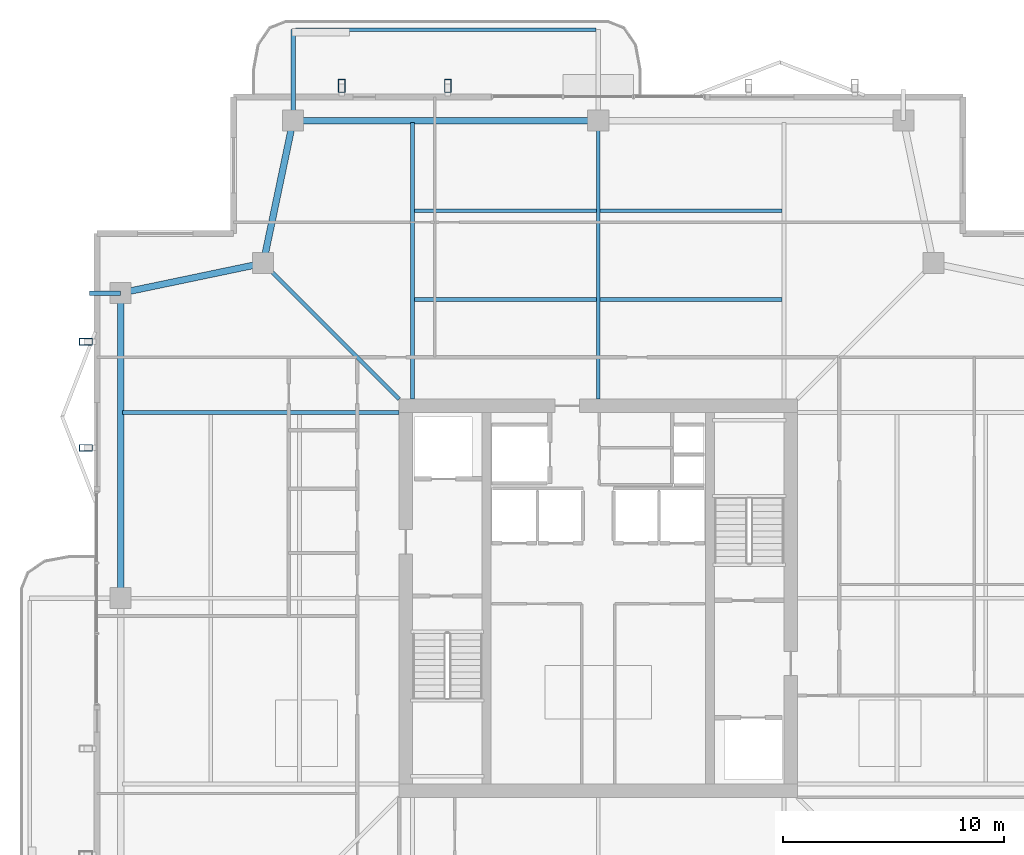
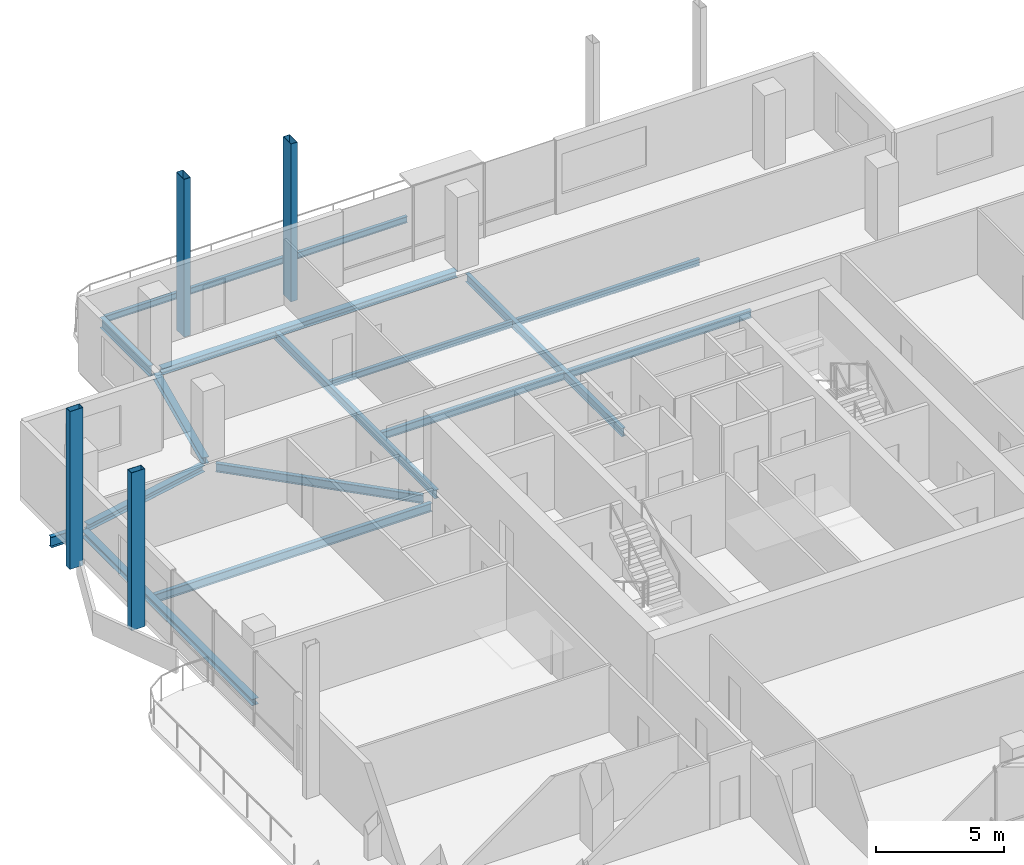
# One storey, part 10 of 20: 15 beams, 4 members.
"""IFC4 building model written with IfcOpenShell, lengths in metres."""

from ifc_helpers import new_model, si_unit, direction, frame, origin, origin_2d, place, context, subcontext, project, spatial, hollow_rectangle, i_section, extrude, material, material_profile, profile_set, type_object, element, save


model = new_model("IFC4")

# Units and contexts
model_context = context("Model", 3, precision=1e-05, world=origin(), true_north=direction((0.0, 1.0)))
body_context = subcontext(model_context, "Body", "Model", "MODEL_VIEW")
ifc_project = project(units=[si_unit("LENGTHUNIT", "METRE"), si_unit("AREAUNIT", "SQUARE_METRE"), si_unit("VOLUMEUNIT", "CUBIC_METRE"), si_unit("PLANEANGLEUNIT", "RADIAN"), si_unit("MASSUNIT", "GRAM", prefix="KILO")], contexts=[model_context])

# Site, building, storey
site_placement = place(None, origin())
site = spatial("IfcSite", under=ifc_project, at=site_placement, CompositionType="ELEMENT")
building_placement = place(site_placement, origin())
building = spatial("IfcBuilding", under=site, at=building_placement, Name="Belovzor Exchange Tower", CompositionType="ELEMENT")
storey_placement = place(building_placement, frame((0.0, 0.0, 306.75)))
storey = spatial("IfcBuildingStorey", under=building, at=storey_placement, Name="L76", CompositionType="ELEMENT", Elevation=306.75)

# Beams
ifc_material_1 = material(Name="Steel S355", Category="steel")
ifc_material_profile_1 = material_profile(ifc_material_1, i_section(OverallWidth=0.199951171875, OverallDepth=0.5, WebThickness=0.01025390625, FlangeThickness=0.01611328125, at=origin_2d()))
ifc_profile_set_1 = profile_set([ifc_material_profile_1], Name="Steel S355")
beam_type_1 = type_object("IfcBeamType", Name="Planted Balcony Cantilever Beam IPE 500", PredefinedType="BEAM", material=ifc_profile_set_1)
beam_1_placement = place(storey_placement, frame((15.0, 50.660888671875, -0.489990234375), z_axis=(0.0, 1.0, 0.0), x_axis=(-1.0, 0.0, 0.0)))
element("IfcBeam", 1, at=beam_1_placement, inside=storey, type_object=beam_type_1, Name="BC-500 Planted Balcony Cantilever Beam IPE 500", PredefinedType="BEAM", context=body_context, shape_type="SweptSolid", body=[
    extrude(i_section(OverallWidth=0.199951171875, OverallDepth=0.5, WebThickness=0.01025390625, FlangeThickness=0.01611328125, at=origin_2d()), origin(), (0.0, 0.0, 1.0), 3.85009765625),
])
beam_2_placement = place(storey_placement, frame((7.199951171875, 42.60009765625, -0.489990234375), z_axis=(-1.0, 0.0, 0.0), x_axis=(0.0, -1.0, 0.0)))
element("IfcBeam", 2, at=beam_2_placement, inside=storey, type_object=beam_type_1, Name="BC-500 Planted Balcony Cantilever Beam IPE 500", PredefinedType="BEAM", context=body_context, shape_type="SweptSolid", body=[
    extrude(i_section(OverallWidth=0.199951171875, OverallDepth=0.5, WebThickness=0.01025390625, FlangeThickness=0.01611328125, at=origin_2d()), origin(), (0.0, 0.0, 1.0), 1.39990234375),
])
ifc_material_2 = material(Name="Steel S355", Category="steel")
ifc_material_profile_2 = material_profile(ifc_material_2, i_section(OverallWidth=0.14990234375, OverallDepth=0.300048828125, WebThickness=0.007080078125, FlangeThickness=0.0107421875, at=origin_2d()))
ifc_profile_set_2 = profile_set([ifc_material_profile_2], Name="Steel S355")
beam_type_2 = type_object("IfcBeamType", Name="Planted Balcony Fascia Edge Beam IPE 300", PredefinedType="BEAM", material=ifc_profile_set_2)
beam_3_placement = place(storey_placement, frame((28.699951171875, 54.510986328125, -0.389892578125), z_axis=(-1.0, 0.0, 0.0), x_axis=(0.0, -1.0, 0.0)))
element("IfcBeam", 3, at=beam_3_placement, inside=storey, type_object=beam_type_2, Name="BC-300 Planted Balcony Fascia Edge Beam IPE 300", PredefinedType="BEAM", context=body_context, shape_type="SweptSolid", body=[
    extrude(i_section(OverallWidth=0.14990234375, OverallDepth=0.300048828125, WebThickness=0.007080078125, FlangeThickness=0.0107421875, at=origin_2d()), origin(), (0.0, 0.0, 1.0), 13.599853515625),
])
ifc_material_3 = material(Name="Steel S355", Category="steel")
ifc_material_profile_3 = material_profile(ifc_material_3, i_section(OverallWidth=0.169921875, OverallDepth=0.360107421875, WebThickness=0.008056640625, FlangeThickness=0.0126953125, at=origin_2d()))
ifc_profile_set_3 = profile_set([ifc_material_profile_3], Name="Steel S355")
beam_type_3 = type_object("IfcBeamType", Name="Secondary Infill Floor Joist IPE 360", PredefinedType="BEAM", material=ifc_profile_set_3)
beam_4_placement = place(storey_placement, frame((20.489990234375, 42.30908203125, -0.419921875), z_axis=(1.0, 0.0, 0.0), x_axis=(0.0, 1.0, 0.0)))
element("IfcBeam", 4, at=beam_4_placement, inside=storey, type_object=beam_type_3, Name="FJ-360 Secondary Infill Floor Joist IPE 360", PredefinedType="BEAM", context=body_context, shape_type="SweptSolid", body=[
    extrude(i_section(OverallWidth=0.169921875, OverallDepth=0.360107421875, WebThickness=0.008056640625, FlangeThickness=0.0126953125, at=origin_2d()), origin(), (0.0, 0.0, 1.0), 8.219970703125),
])
beam_5_placement = place(storey_placement, frame((28.889892578125, 42.30908203125, -0.419921875), z_axis=(1.0, 0.0, 0.0), x_axis=(0.0, 1.0, 0.0)))
element("IfcBeam", 5, at=beam_5_placement, inside=storey, type_object=beam_type_3, Name="FJ-360 Secondary Infill Floor Joist IPE 360", PredefinedType="BEAM", context=body_context, shape_type="SweptSolid", body=[
    extrude(i_section(OverallWidth=0.169921875, OverallDepth=0.360107421875, WebThickness=0.008056640625, FlangeThickness=0.0126953125, at=origin_2d()), origin(), (0.0, 0.0, 1.0), 8.22021484375),
])
ifc_material_4 = material(Name="Steel S355", Category="steel")
ifc_material_profile_4 = material_profile(ifc_material_4, i_section(OverallWidth=0.14990234375, OverallDepth=0.300048828125, WebThickness=0.007080078125, FlangeThickness=0.0107421875, at=origin_2d()))
ifc_profile_set_4 = profile_set([ifc_material_profile_4], Name="Steel S355")
beam_type_4 = type_object("IfcBeamType", Name="Secondary Trim Floor Joist IPE 300", PredefinedType="BEAM", material=ifc_profile_set_4)
beam_6_placement = place(storey_placement, frame((20.489990234375, 46.31689453125, -0.389892578125), z_axis=(1.0, 0.0, 0.0), x_axis=(0.0, 1.0, 0.0)))
element("IfcBeam", 6, at=beam_6_placement, inside=storey, type_object=beam_type_4, Name="FJ-300 Secondary Trim Floor Joist IPE 300", PredefinedType="BEAM", context=body_context, shape_type="SweptSolid", body=[
    extrude(i_section(OverallWidth=0.14990234375, OverallDepth=0.300048828125, WebThickness=0.007080078125, FlangeThickness=0.0107421875, at=origin_2d()), origin(), (0.0, 0.0, 1.0), 8.219970703125),
])
beam_7_placement = place(storey_placement, frame((28.889892578125, 46.31689453125, -0.389892578125), z_axis=(1.0, 0.0, 0.0), x_axis=(0.0, 1.0, 0.0)))
element("IfcBeam", 7, at=beam_7_placement, inside=storey, type_object=beam_type_4, Name="FJ-300 Secondary Trim Floor Joist IPE 300", PredefinedType="BEAM", context=body_context, shape_type="SweptSolid", body=[
    extrude(i_section(OverallWidth=0.14990234375, OverallDepth=0.300048828125, WebThickness=0.007080078125, FlangeThickness=0.0107421875, at=origin_2d()), origin(), (0.0, 0.0, 1.0), 8.22021484375),
])

# Members
ifc_material_5 = material(Name="Extruded Architectural Terracotta on Steel S355 Carrier", Category="masonry")
ifc_material_profile_5 = material_profile(ifc_material_5, hollow_rectangle(XDim=0.300048828125, YDim=0.60009765625, WallThickness=0.01611328125, at=origin_2d()))
ifc_profile_set_5 = profile_set([ifc_material_profile_5], Name="Extruded Architectural Terracotta on Steel S355 Carrier")
member_type = type_object("IfcMemberType", Name="Upper Crown Terracotta Fin Assembly 550", PredefinedType="USERDEFINED", material=ifc_profile_set_5)
for number, where, z_axis, x_axis, name in (
    (8, (17.199951171875, 51.97509765625, -0.239990234375), (0.0, 0.0, 1.0), (1.0, 0.0, 0.0), "FIN-TC055 Terracotta Facade Fin L76 N1"),
    (9, (22.0, 51.97509765625, -0.239990234375), (0.0, 0.0, 1.0), (1.0, 0.0, 0.0), "FIN-TC055 Terracotta Facade Fin L76 N2"),
    (10, (5.625, 35.60009765625, -0.239990234375), (0.0, 0.0, 1.0), (0.0, 1.0, 0.0), "FIN-TC055 Terracotta Facade Fin L76 W3"),
    (11, (5.625, 40.39990234375, -0.239990234375), (0.0, 0.0, 1.0), (0.0, 1.0, 0.0), "FIN-TC055 Terracotta Facade Fin L76 W4"),
):
    element("IfcMember", number, at=place(storey_placement, frame(where, z_axis=z_axis, x_axis=x_axis)), inside=storey, type_object=member_type, Name=name, ObjectType="FIN", PredefinedType="USERDEFINED", context=body_context, shape_type="SweptSolid", body=[
        extrude(hollow_rectangle(XDim=0.300048828125, YDim=0.60009765625, WallThickness=0.01611328125, at=origin_2d()), origin(), (0.0, 0.0, 1.0), 7.5),
    ])

# Beams
ifc_material_6 = material(Name="Steel S355", Category="steel")
ifc_material_profile_6 = material_profile(ifc_material_6, i_section(OverallWidth=0.179931640625, OverallDepth=0.39990234375, WebThickness=0.008544921875, FlangeThickness=0.013427734375, at=origin_2d()))
ifc_profile_set_6 = profile_set([ifc_material_profile_6], Name="Steel S355")
beam_type_5 = type_object("IfcBeamType", Name="Zone 5-6 Radial Composite Floor Beam IPE 400", PredefinedType="BEAM", material=ifc_profile_set_6)
beam_8_placement = place(storey_placement, frame((20.39990234375, 37.800048828125, -0.43994140625), z_axis=(0.0, 1.0, 0.0), x_axis=(-1.0, 0.0, 0.0)))
element("IfcBeam", 12, at=beam_8_placement, inside=storey, type_object=beam_type_5, Name="FB-400 Zone 5-6 Radial Composite Floor Beam IPE 400", PredefinedType="BEAM", context=body_context, shape_type="SweptSolid", body=[
    extrude(i_section(OverallWidth=0.179931640625, OverallDepth=0.39990234375, WebThickness=0.008544921875, FlangeThickness=0.013427734375, at=origin_2d()), origin(), (0.0, 0.0, 1.0), 12.52490234375),
])
beam_9_placement = place(storey_placement, frame((28.800048828125, 37.800048828125, -0.43994140625), z_axis=(0.0, 1.0, 0.0), x_axis=(-1.0, 0.0, 0.0)))
element("IfcBeam", 13, at=beam_9_placement, inside=storey, type_object=beam_type_5, Name="FB-400 Zone 5-6 Radial Composite Floor Beam IPE 400", PredefinedType="BEAM", context=body_context, shape_type="SweptSolid", body=[
    extrude(i_section(OverallWidth=0.179931640625, OverallDepth=0.39990234375, WebThickness=0.008544921875, FlangeThickness=0.013427734375, at=origin_2d()), origin(), (0.0, 0.0, 1.0), 12.181884765625),
])
beam_10_placement = place(storey_placement, frame((19.800048828125, 37.199951171875, -0.43994140625), z_axis=(-1.0, 0.0, 0.0), x_axis=(0.0, -1.0, 0.0)))
element("IfcBeam", 14, at=beam_10_placement, inside=storey, type_object=beam_type_5, Name="FB-400 Zone 5-6 Radial Composite Floor Beam IPE 400", PredefinedType="BEAM", context=body_context, shape_type="SweptSolid", body=[
    extrude(i_section(OverallWidth=0.179931640625, OverallDepth=0.39990234375, WebThickness=0.008544921875, FlangeThickness=0.013427734375, at=origin_2d()), origin(), (0.0, 0.0, 1.0), 12.525146484375),
])
beam_11_placement = place(storey_placement, frame((19.800048828125, 37.800048828125, -0.43994140625), z_axis=(-0.707062982569, 0.707150577091, 0.0), x_axis=(-0.707150577091, -0.707062982569, 0.0)))
element("IfcBeam", 15, at=beam_11_placement, inside=storey, type_object=beam_type_5, Name="FB-400 Zone 5-6 Radial Composite Floor Beam IPE 400", PredefinedType="BEAM", context=body_context, shape_type="SweptSolid", body=[
    extrude(i_section(OverallWidth=0.179931640625, OverallDepth=0.39990234375, WebThickness=0.008544921875, FlangeThickness=0.013427734375, at=origin_2d()), origin(), (0.0, 0.0, 1.0), 8.361572265625),
])
ifc_material_7 = material(Name="Steel S355", Category="steel")
ifc_material_profile_7 = material_profile(ifc_material_7, i_section(OverallWidth=0.300048828125, OverallDepth=0.300048828125, WebThickness=0.008544921875, FlangeThickness=0.013916015625, at=origin_2d()))
ifc_profile_set_7 = profile_set([ifc_material_profile_7], Name="Steel S355")
beam_type_6 = type_object("IfcBeamType", Name="Zone 6 Primary Girder HEA 300", PredefinedType="BEAM", material=ifc_profile_set_7)
beam_12_placement = place(storey_placement, frame((28.5390625, 50.39990234375, -0.389892578125), z_axis=(-1.0, 0.0, 0.0), x_axis=(0.0, -1.0, 0.0)))
element("IfcBeam", 16, at=beam_12_placement, inside=storey, type_object=beam_type_6, Name="FG-Z6 Zone 6 Primary Girder HEA 300", PredefinedType="BEAM", context=body_context, shape_type="SweptSolid", body=[
    extrude(i_section(OverallWidth=0.300048828125, OverallDepth=0.300048828125, WebThickness=0.008544921875, FlangeThickness=0.013916015625, at=origin_2d()), origin(), (0.0, 0.0, 1.0), 13.278076171875),
])
for number, where, z_axis, x_axis, name in (
    (17, (14.946044921875, 50.14404296875, -0.389892578125), (-0.204722380619, -0.978820078908, 0.0), (0.978820078908, -0.204722380619, 0.0), "FG-Z6 Zone 6 Primary Girder HEA 300"),
    (18, (13.39404296875, 43.89599609375, -0.389892578125), (-0.978820078908, -0.204722380619, 0.0), (0.204722380619, -0.978820078908, 0.0), "FG-Z6 Zone 6 Primary Girder HEA 300"),
):
    element("IfcBeam", number, at=place(storey_placement, frame(where, z_axis=z_axis, x_axis=x_axis)), inside=storey, type_object=beam_type_6, Name=name, PredefinedType="BEAM", context=body_context, shape_type="SweptSolid", body=[
        extrude(i_section(OverallWidth=0.300048828125, OverallDepth=0.300048828125, WebThickness=0.008544921875, FlangeThickness=0.013916015625, at=origin_2d()), origin(), (0.0, 0.0, 1.0), 6.06640625),
    ])
beam_13_placement = place(storey_placement, frame((7.199951171875, 42.339111328125, -0.389892578125), z_axis=(0.0, -1.0, 0.0), x_axis=(1.0, 0.0, 0.0)))
element("IfcBeam", 19, at=beam_13_placement, inside=storey, type_object=beam_type_6, Name="FG-Z6 Zone 6 Primary Girder HEA 300", PredefinedType="BEAM", context=body_context, shape_type="SweptSolid", body=[
    extrude(i_section(OverallWidth=0.300048828125, OverallDepth=0.300048828125, WebThickness=0.008544921875, FlangeThickness=0.013916015625, at=origin_2d()), origin(), (0.0, 0.0, 1.0), 13.278076171875),
])

save(model, "model.ifc")
